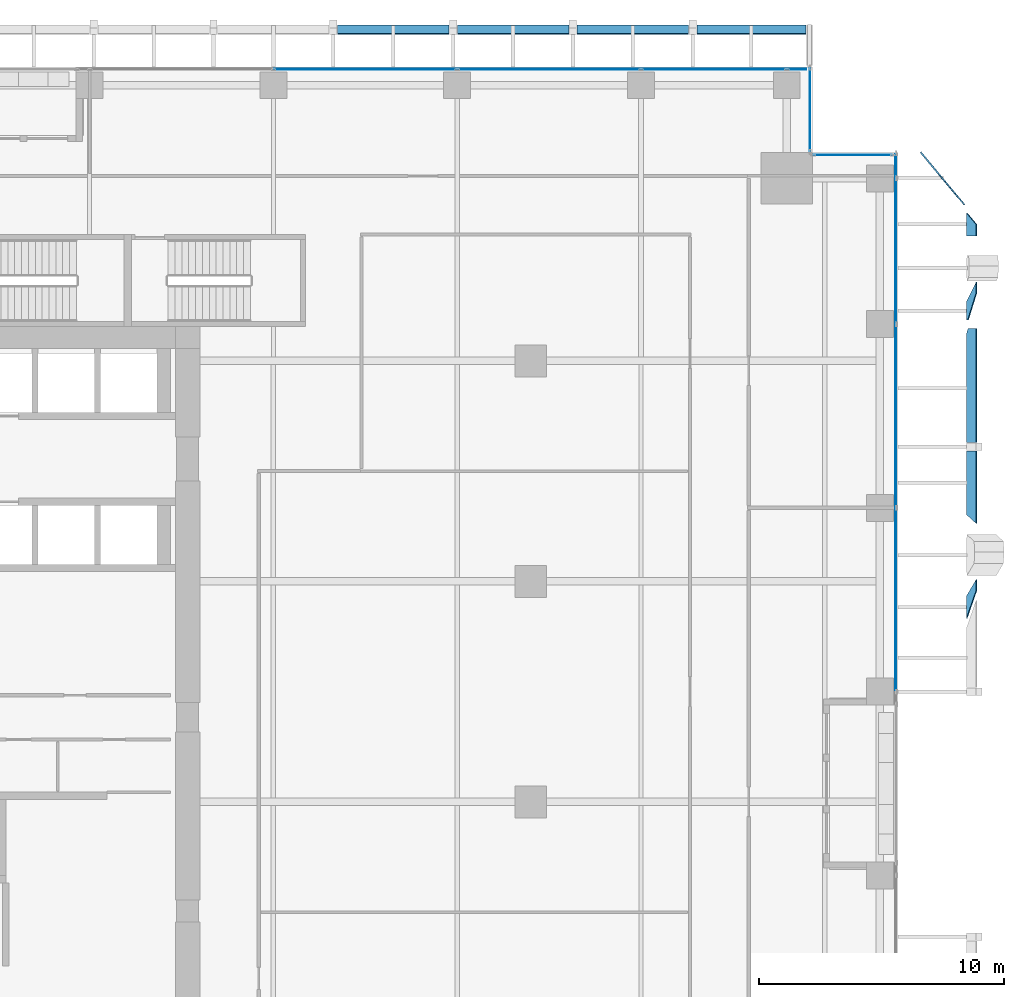
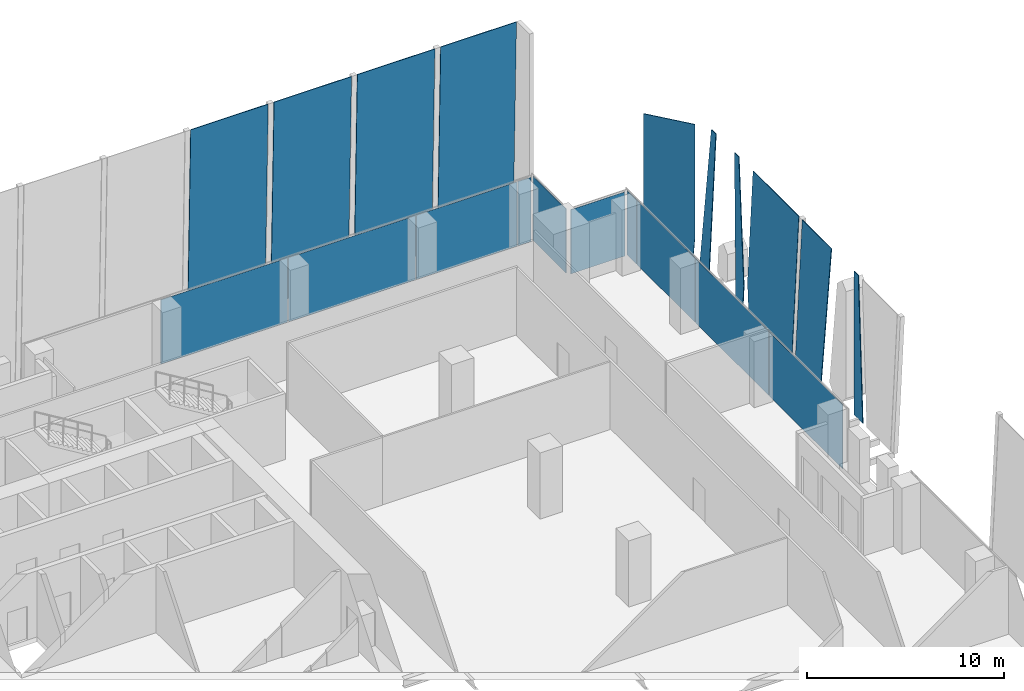
# One storey, part 27 of 36: 20 plates, 4 elements without a shape of their own.
"""IFC4 building model written with IfcOpenShell, lengths in metres."""

from ifc_helpers import new_model, si_unit, direction, frame, origin, origin_2d, place, context, subcontext, project, spatial, polyline, rectangle, outline, extrude, source, transform, mapped, material, layer, layer_set, type_object, element, aggregate, save


model = new_model("IFC4")

# Units and contexts
model_context = context("Model", 3, precision=1e-05, world=origin(), true_north=direction((0.0, 1.0)))
body_context = subcontext(model_context, "Body", "Model", "MODEL_VIEW")
ifc_project = project(units=[si_unit("LENGTHUNIT", "METRE"), si_unit("AREAUNIT", "SQUARE_METRE"), si_unit("VOLUMEUNIT", "CUBIC_METRE"), si_unit("PLANEANGLEUNIT", "RADIAN"), si_unit("MASSUNIT", "GRAM", prefix="KILO")], contexts=[model_context])

# Site, building, storey
site_placement = place(None, origin())
site = spatial("IfcSite", under=ifc_project, at=site_placement, CompositionType="ELEMENT")
building_placement = place(site_placement, origin())
building = spatial("IfcBuilding", under=site, at=building_placement, Name="Khomas Fold Tower", CompositionType="ELEMENT")
storey_placement = place(building_placement, frame((0.0, 0.0, 141.10009765625)))
storey = spatial("IfcBuildingStorey", under=building, at=storey_placement, Name="L30", CompositionType="ELEMENT", Elevation=141.10009765625)

# Plates
ifc_material_1 = material(Name="Clear laminated glass", Category="glass")
ifc_layer_1 = layer(ifc_material_1, 0.0400390625)
ifc_layer_set_1 = layer_set([ifc_layer_1], Name="Clear laminated glass")
plate_type_1 = type_object("IfcPlateType", Name="SK-Clear laminated glass leaf", PredefinedType="SHEET", material=ifc_layer_set_1)
plate_1_placement = place(storey_placement, frame((55.676025390625, 31.127685546875, 8.349853515625), z_axis=(-0.998875921393, 0.0, 0.047401409913), x_axis=(0.0, 1.0, 0.0)))
element("IfcPlate", 1, at=plate_1_placement, inside=storey, type_object=plate_type_1, Name="OUTER SKIN glass L30 EG103-7", PredefinedType="SHEET", context=body_context, shape_type="SweptSolid", body=[
    extrude(outline(polyline([(0.0, 0.0), (0.44189453125, 0.0), (-0.232666015625, 8.359249969688234), (-1.13720703125, 8.359249969688234), (0.0, 0.0)])), origin(), (0.0, 0.0, -1.0), 0.0400390625),
])
plate_2_placement = place(storey_placement, frame((55.676025390625, 43.274169921875, 8.349853515625), z_axis=(-0.998875933613, 1.951826e-06, 0.047401152368), x_axis=(1.949632e-06, 0.999999999998, -9.2519e-08)))
element("IfcPlate", 2, at=plate_2_placement, inside=storey, type_object=plate_type_1, Name="OUTER SKIN glass L30 EG106-10", PredefinedType="SHEET", context=body_context, shape_type="SweptSolid", body=[
    extrude(outline(polyline([(0.0, 0.0), (0.44140624999915923, 0.0), (-0.37084960937850037, 8.359249969687953), (-1.1042480468771034, 8.359249969687953), (-1.104248046881579, 7.241538618495854), (0.0, 0.0)])), origin(), (0.0, 0.0, -1.0), 0.0400390625),
])
plate_3_placement = place(storey_placement, frame((55.676025390625, 33.865966796875, 8.349853515625), z_axis=(-0.998875921393, 0.0, 0.047401409913), x_axis=(0.0, 1.0, 0.0)))
element("IfcPlate", 3, at=plate_3_placement, inside=storey, type_object=plate_type_1, Name="OUTER SKIN glass L30 EG104-11", PredefinedType="SHEET", context=body_context, shape_type="SweptSolid", body=[
    extrude(outline(polyline([(0.0, 0.0), (2.964111328125, 0.0), (2.964111328125, 8.359249969688234), (0.36328125, 8.359249969688234), (0.0, 0.0)])), origin(), (0.0, 0.0, -1.0), 0.0400390625),
])
plate_4_placement = place(storey_placement, frame((55.676025390625, 41.830078125, 8.349853515625), z_axis=(-0.998875910949, -7.810637e-06, 0.047401629342), x_axis=(-0.047401629343, 8.1e-11, -0.99887591098)))
element("IfcPlate", 4, at=plate_4_placement, inside=storey, type_object=plate_type_1, Name="OUTER SKIN glass L30 EG105-13", PredefinedType="SHEET", context=body_context, shape_type="SweptSolid", body=[
    extrude(outline(polyline([(0.0, 0.0), (6.817725688017414, -4.235164736271502e-22), (8.35924996966892, 0.2351074225617435), (8.35924996930918, 4.660156250551767), (-3.788511553875113e-10, 4.6601562498578515), (0.0, 0.0)])), origin(), (0.0, 0.0, -1.0), 0.0400390625),
])
plate_5_placement = place(storey_placement, frame((55.676025390625, 45.60009765625, 8.349853515625), z_axis=(-0.998875921393, 0.0, 0.047401409913), x_axis=(0.0, 1.0, 0.0)))
element("IfcPlate", 5, at=plate_5_placement, inside=storey, type_object=plate_type_1, Name="OUTER SKIN glass L30 EG106-14", PredefinedType="SHEET", context=body_context, shape_type="SweptSolid", body=[
    extrude(outline(polyline([(0.0, 0.0), (0.46826171875, 0.0), (0.94384765625, 8.359249969688234), (0.0, 8.359249969688234), (0.0, 0.0)])), origin(), (0.0, 0.0, -1.0), 0.0400390625),
])
plate_6_placement = place(storey_placement, frame((55.1435546875, 46.97021484375, 0.0), z_axis=(0.768214042633, 0.640193083922, 6.5829e-08), x_axis=(0.04739163553, -0.056868758004, 0.99725622447)))
element("IfcPlate", 6, at=plate_6_placement, inside=storey, type_object=plate_type_1, Name="OUTER SKIN glass L30 EG107-15", PredefinedType="SHEET", context=body_context, shape_type="SweptSolid", body=[
    extrude(outline(polyline([(0.0, 0.0), (1.3136629901165329, 1.3877787807814457e-17), (8.33414229495126, -0.5211361361910565), (8.12887752553666, -3.2863580534800985), (-0.19806586633615159, -2.6682419794773127), (0.0, 0.0)])), origin(), (0.0, 0.0, -1.0), 0.0400390625),
])
for number, where, z_axis, x_axis, name in (
    (7, (29.614501953125, 54.203125, 0.0009765625), (0.0, 0.9996570913, 0.026185870498), (1.0, 0.0, 0.0), "OUTER SKIN glass L30 N11"),
    (8, (34.50341796875, 54.203125, 0.0009765625), (0.0, 0.9996570913, 0.026185870498), (1.0, 0.0, 0.0), "OUTER SKIN glass L30 N13"),
    (9, (39.392333984375, 54.203125, 0.0009765625), (0.0, 0.9996570913, 0.026185870498), (1.0, 0.0, 0.0), "OUTER SKIN glass L30 N15"),
):
    element("IfcPlate", number, at=place(storey_placement, frame(where, z_axis=z_axis, x_axis=x_axis)), inside=storey, type_object=plate_type_1, Name=name, PredefinedType="SHEET", context=body_context, shape_type="SweptSolid", body=[
        extrude(outline(polyline([(0.0, 0.0), (4.548828125, 0.0), (4.548828125, -12.754373585666377), (0.0, -12.754373585666377), (0.0, 0.0)])), origin(), (0.0, 0.0, -1.0), 0.0400390625),
    ])
plate_7_placement = place(storey_placement, frame((44.281005859375, 54.203125, 0.0009765625), z_axis=(0.0, 0.9996570913, 0.026185870498), x_axis=(1.0, 0.0, 0.0)))
element("IfcPlate", 10, at=plate_7_placement, inside=storey, type_object=plate_type_1, Name="OUTER SKIN glass L30 N17", PredefinedType="SHEET", context=body_context, shape_type="SweptSolid", body=[
    extrude(outline(polyline([(0.0, 0.0), (4.448974609375, 0.0), (4.448974609375, -12.754373585666377), (0.0, -12.754373585666377), (0.0, 0.0)])), origin(), (0.0, 0.0, -1.0), 0.0400390625),
])

# Curtain wall, plate
ifc_material_2 = material(Name="Aluminium framed double glazing", Category="aluminium")
curtain_wall_type = type_object("IfcCurtainWallType", Name="SK-Unitised clear-glass wall, growing floors CW1", PredefinedType="NOTDEFINED", material=ifc_material_2)
curtain_wall_1_placement = place(storey_placement, origin())
curtain_wall_1 = element("IfcCurtainWall", 11, at=curtain_wall_1_placement, inside=storey, type_object=curtain_wall_type, Name="CW1 run L30 06-0", PredefinedType="NOTDEFINED")
ifc_material_3 = material(Name="Clear double glazed unit")
ifc_layer_2 = layer(ifc_material_3, 0.031982421875)
ifc_layer_set_2 = layer_set([ifc_layer_2], Name="Clear double glazed unit")
plate_type_2 = type_object("IfcPlateType", Name="SK-Unitised clear-glass wall, growing floors glass panel CW1-P", PredefinedType="CURTAIN_PANEL", material=ifc_layer_set_2)
shared_shape_1 = source(origin(), body_context, "Body", "SweptSolid", [
    extrude(rectangle(XDim=0.760009765625, YDim=0.031982421875, at=origin_2d()), origin(), (0.0, 0.0, 1.0), 3.97998046875),
])
plate_8_placement = place(storey_placement, frame((48.360107421875, 52.39990234375, 0.0), z_axis=(0.0, 0.0, 1.0), x_axis=(-1.0, 0.0, 0.0)))
plate_8 = element("IfcPlate", 12, at=plate_8_placement, type_object=plate_type_2, Name="CW1 glass panel 1", PredefinedType="CURTAIN_PANEL", context=body_context, shape_type="MappedRepresentation", body=[
    mapped(shared_shape_1, transform((0.0, 0.0, 0.0))),
])

curtain_wall_2_placement = place(storey_placement, origin())
curtain_wall_2 = element("IfcCurtainWall", 13, at=curtain_wall_2_placement, inside=storey, type_object=curtain_wall_type, Name="CW1 run L30 03-1", PredefinedType="NOTDEFINED")
shared_shape_2 = source(origin(), body_context, "Body", "SweptSolid", [
    extrude(rectangle(XDim=5.889892578125, YDim=0.031982421875, at=origin_2d()), origin(), (0.0, 0.0, 1.0), 3.97998046875),
])
plate_9_placement = place(storey_placement, frame((52.39990234375, 44.97509765625, 0.0), z_axis=(0.0, 0.0, 1.0), x_axis=(0.0, 1.0, 0.0)))
plate_9 = element("IfcPlate", 14, at=plate_9_placement, type_object=plate_type_2, Name="CW1 glass panel 4", PredefinedType="CURTAIN_PANEL", context=body_context, shape_type="MappedRepresentation", body=[
    mapped(shared_shape_2, transform((0.0, 0.0, 0.0))),
])

# Plate
plate_10_placement = place(storey_placement, frame((44.97509765625, 52.39990234375, 0.0), z_axis=(0.0, 0.0, 1.0), x_axis=(-1.0, 0.0, 0.0)))
plate_10 = element("IfcPlate", 15, at=plate_10_placement, type_object=plate_type_2, Name="CW1 glass panel 2", PredefinedType="CURTAIN_PANEL", context=body_context, shape_type="MappedRepresentation", body=[
    mapped(shared_shape_2, transform((0.0, 0.0, 0.0))),
])

shared_shape_3 = source(origin(), body_context, "Body", "SweptSolid", [
    extrude(rectangle(XDim=7.43994140625, YDim=0.031982421875, at=origin_2d()), origin(), (0.0, 0.0, 1.0), 3.97998046875),
])
plate_11_placement = place(storey_placement, frame((52.39990234375, 30.75, 0.0), z_axis=(0.0, 0.0, 1.0), x_axis=(0.0, 1.0, 0.0)))
plate_11 = element("IfcPlate", 16, at=plate_11_placement, type_object=plate_type_2, Name="CW1 glass panel 2", PredefinedType="CURTAIN_PANEL", context=body_context, shape_type="MappedRepresentation", body=[
    mapped(shared_shape_3, transform((0.0, 0.0, 0.0))),
])

plate_12_placement = place(storey_placement, frame((52.39990234375, 38.25, 0.0), z_axis=(0.0, 0.0, 1.0), x_axis=(0.0, 1.0, 0.0)))
plate_12 = element("IfcPlate", 17, at=plate_12_placement, type_object=plate_type_2, Name="CW1 glass panel 3", PredefinedType="CURTAIN_PANEL", context=body_context, shape_type="MappedRepresentation", body=[
    mapped(shared_shape_3, transform((0.0, 0.0, 0.0))),
])

plate_13_placement = place(storey_placement, frame((38.25, 52.39990234375, 0.0), z_axis=(0.0, 0.0, 1.0), x_axis=(-1.0, 0.0, 0.0)))
plate_13 = element("IfcPlate", 18, at=plate_13_placement, type_object=plate_type_2, Name="CW1 glass panel 3", PredefinedType="CURTAIN_PANEL", context=body_context, shape_type="MappedRepresentation", body=[
    mapped(shared_shape_3, transform((0.0, 0.0, 0.0))),
])

plate_14_placement = place(storey_placement, frame((30.75, 52.39990234375, 0.0), z_axis=(0.0, 0.0, 1.0), x_axis=(-1.0, 0.0, 0.0)))
plate_14 = element("IfcPlate", 19, at=plate_14_placement, type_object=plate_type_2, Name="CW1 glass panel 4", PredefinedType="CURTAIN_PANEL", context=body_context, shape_type="MappedRepresentation", body=[
    mapped(shared_shape_3, transform((0.0, 0.0, 0.0))),
])

aggregate(curtain_wall_1, [plate_8, plate_10, plate_13, plate_14])

shared_shape_4 = source(origin(), body_context, "Body", "SweptSolid", [
    extrude(rectangle(XDim=0.9599609375, YDim=0.031982421875, at=origin_2d()), origin(), (0.0, 0.0, 1.0), 3.97998046875),
])
plate_15_placement = place(storey_placement, frame((52.39990234375, 48.4599609375, 0.0), z_axis=(0.0, 0.0, 1.0), x_axis=(0.0, 1.0, 0.0)))
plate_15 = element("IfcPlate", 20, at=plate_15_placement, type_object=plate_type_2, Name="CW1 glass panel 5", PredefinedType="CURTAIN_PANEL", context=body_context, shape_type="MappedRepresentation", body=[
    mapped(shared_shape_4, transform((0.0, 0.0, 0.0))),
])

aggregate(curtain_wall_2, [plate_11, plate_12, plate_9, plate_15])

# Curtain wall, plate
curtain_wall_3_placement = place(storey_placement, origin())
curtain_wall_3 = element("IfcCurtainWall", 21, at=curtain_wall_3_placement, inside=storey, type_object=curtain_wall_type, Name="CW1 corner return L30 04", PredefinedType="NOTDEFINED")
shared_shape_5 = source(origin(), body_context, "Body", "SweptSolid", [
    extrude(rectangle(XDim=3.179931640625, YDim=0.031982421875, at=origin_2d()), origin(), (0.0, 0.0, 1.0), 3.97998046875),
])
plate_16_placement = place(storey_placement, frame((50.64990234375, 48.89990234375, 0.0), z_axis=(0.0, 0.0, 1.0), x_axis=(-1.0, 0.0, 0.0)))
plate_16 = element("IfcPlate", 22, at=plate_16_placement, type_object=plate_type_2, Name="CW1 glass panel 1", PredefinedType="CURTAIN_PANEL", context=body_context, shape_type="MappedRepresentation", body=[
    mapped(shared_shape_5, transform((0.0, 0.0, 0.0))),
])
aggregate(curtain_wall_3, [plate_16])

curtain_wall_4_placement = place(storey_placement, origin())
curtain_wall_4 = element("IfcCurtainWall", 23, at=curtain_wall_4_placement, inside=storey, type_object=curtain_wall_type, Name="CW1 corner return L30 05", PredefinedType="NOTDEFINED")
shared_shape_6 = source(origin(), body_context, "Body", "SweptSolid", [
    extrude(rectangle(XDim=3.3798828125, YDim=0.031982421875, at=origin_2d()), origin(), (0.0, 0.0, 1.0), 3.97998046875),
])
plate_17_placement = place(storey_placement, frame((48.89990234375, 50.75, 0.0), z_axis=(0.0, 0.0, 1.0), x_axis=(0.0, 1.0, 0.0)))
plate_17 = element("IfcPlate", 24, at=plate_17_placement, type_object=plate_type_2, Name="CW1 glass panel 1", PredefinedType="CURTAIN_PANEL", context=body_context, shape_type="MappedRepresentation", body=[
    mapped(shared_shape_6, transform((0.0, 0.0, 0.0))),
])
aggregate(curtain_wall_4, [plate_17])

save(model, "model.ifc")
